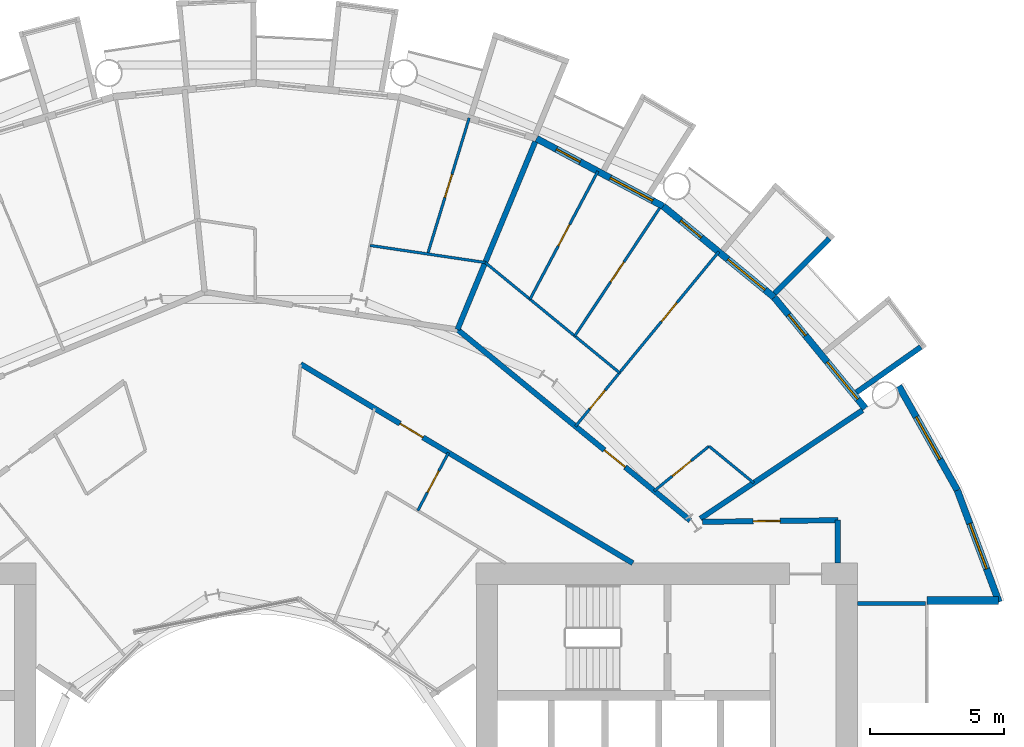
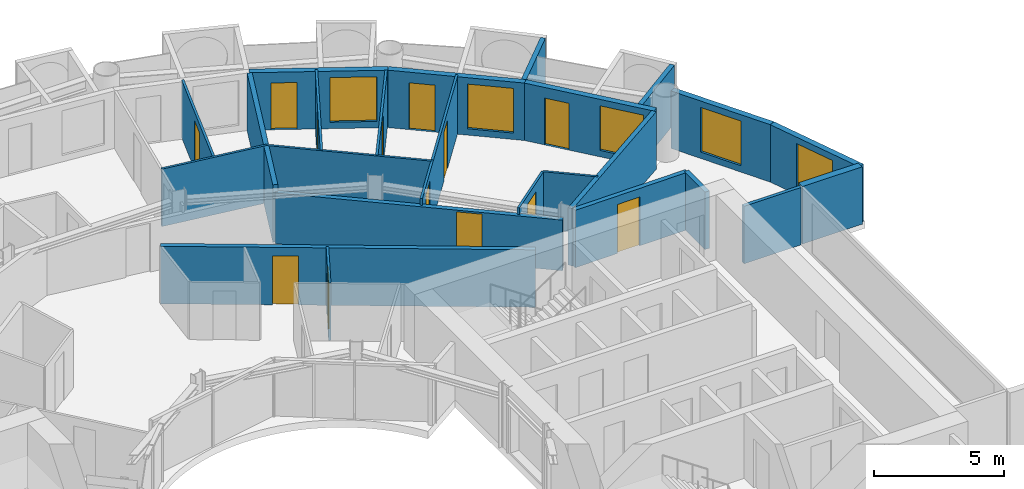
# One storey, part 21 of 26: 24 walls, 13 doors, 5 windows, 18 openings.
"""IFC4 building model written with IfcOpenShell, lengths in metres."""

import ifcopenshell
import ifcopenshell.guid

model = None  # the IFC model being written
_history = None  # IfcOwnerHistory: only IFC2X3 demands one
_inside = {}  # id of a spatial element -> (the spatial element, [elements in it])
_under = {}  # id of a project, library or spatial element -> (it, [spatial elements below it])
_declared = {}  # id of a project -> (the project, [libraries it declares])
_typed = {}  # id of a type object -> (the type object, [elements of that type])
_made_of = {}  # id of a material, layer set ... -> (it, [elements and type objects made of it])


def new_model(schema):
    """Start an empty IFC model of exactly this schema.

    Asked for "IFC4X3", IfcOpenShell would pick the latest addendum, in which some entities
    have other attributes; the version numbers below select the first issue.
    IFC2X3 requires an IfcOwnerHistory on every rooted entity: one is made here for all.
    """
    global model, _history
    if schema == "IFC4X3":
        model = ifcopenshell.file(schema_version=(4, 3, 0, 0))
    else:
        model = ifcopenshell.file(schema=schema)
    _inside.clear()
    _under.clear()
    _declared.clear()
    _typed.clear()
    _made_of.clear()
    _history = None
    if model.schema == "IFC2X3":
        org = make("IfcOrganization", Name="unknown")
        user = make(
            "IfcPersonAndOrganization",
            ThePerson=make("IfcPerson", FamilyName="unknown"),
            TheOrganization=org,
        )
        app = make(
            "IfcApplication",
            ApplicationDeveloper=org,
            Version="unknown",
            ApplicationFullName="unknown",
            ApplicationIdentifier="unknown",
        )
        _history = make(
            "IfcOwnerHistory",
            OwningUser=user,
            OwningApplication=app,
            ChangeAction="ADDED",
            CreationDate=0,
        )
    return model


def make(cls, **values):
    """One entity of the class cls with the attributes given. An attribute that is None is left unset."""
    return model.create_entity(
        cls, **{name: value for name, value in values.items() if value is not None}
    )


def rooted(cls, **values):
    """An entity with a GlobalId (a new one), such as an element, a storey or a relation."""
    return make(cls, GlobalId=ifcopenshell.guid.new(), OwnerHistory=_history, **values)


def si_unit(unit_type, name, prefix=None):
    """IfcSIUnit, for example si_unit("LENGTHUNIT", "METRE", prefix="MILLI")."""
    return make("IfcSIUnit", UnitType=unit_type, Prefix=prefix, Name=name)


def assignment(units):
    """IfcUnitAssignment: the units of a project."""
    return None if units is None else make("IfcUnitAssignment", Units=units)


def point(xyz):
    """IfcCartesianPoint."""
    return None if xyz is None else make("IfcCartesianPoint", Coordinates=xyz)


def direction(xyz):
    """IfcDirection."""
    return None if xyz is None else make("IfcDirection", DirectionRatios=xyz)


def frame(location, z_axis=None, x_axis=None):
    """IfcAxis2Placement3D, a coordinate frame: its origin and axes. An axis left out is left unset."""
    return make(
        "IfcAxis2Placement3D",
        Location=point(location),
        Axis=direction(z_axis),
        RefDirection=direction(x_axis),
    )


def frame_2d(location, x_axis=None):
    """IfcAxis2Placement2D, a coordinate frame in the plane: its origin and x axis."""
    return make(
        "IfcAxis2Placement2D", Location=point(location), RefDirection=direction(x_axis)
    )


def origin():
    """The frame at (0, 0, 0) with its axes left unset."""
    return frame((0.0, 0.0, 0.0))


def place(relative_to, where):
    """IfcLocalPlacement: puts the frame where relative to a parent placement (None: the world)."""
    return make(
        "IfcLocalPlacement", PlacementRelTo=relative_to, RelativePlacement=where
    )


def context(
    kind, dimensions, precision=None, world=None, true_north=None, identifier=None
):
    """IfcGeometricRepresentationContext, for example the 3D "Model" context."""
    return make(
        "IfcGeometricRepresentationContext",
        ContextIdentifier=identifier,
        ContextType=kind,
        CoordinateSpaceDimension=dimensions,
        Precision=precision,
        WorldCoordinateSystem=world,
        TrueNorth=true_north,
    )


def subcontext(parent, identifier, kind, view, scale=None):
    """IfcGeometricRepresentationSubContext, for example "Body" below "Model"."""
    return make(
        "IfcGeometricRepresentationSubContext",
        ContextIdentifier=identifier,
        ContextType=kind,
        ParentContext=parent,
        TargetScale=scale,
        TargetView=view,
    )


def project(units=None, contexts=None):
    """IfcProject with its units and contexts."""
    return rooted(
        "IfcProject",
        Name="project",
        RepresentationContexts=contexts,
        UnitsInContext=assignment(units),
    )


def spatial(cls, under=None, at=None, **own):
    """A site, building, storey or space (cls), placed at a placement, below another one or the project."""
    s = rooted(cls, ObjectPlacement=at, **own)
    if under is not None:
        _under.setdefault(under.id(), (under, []))[1].append(s)
    return s


def profile(cls, at=None, kind="AREA", **sizes):
    """A parametric profile (cls). Its sizes go by their IFC names, for example OverallWidth=200.0."""
    return make(cls, ProfileType=kind, Position=at, **sizes)


def rectangle(**sizes):
    """IfcRectangleProfileDef."""
    return profile("IfcRectangleProfileDef", **sizes)


def extrude(swept, where, along, depth):
    """IfcExtrudedAreaSolid: the profile swept, set in the frame where, extruded along a direction by depth."""
    return make(
        "IfcExtrudedAreaSolid",
        SweptArea=swept,
        Position=where,
        ExtrudedDirection=direction(along),
        Depth=depth,
    )


def shape(context_of_items, identifier, shape_type, items):
    """IfcShapeRepresentation: the items that make up one representation, for example the "Body"."""
    return make(
        "IfcShapeRepresentation",
        ContextOfItems=context_of_items,
        RepresentationIdentifier=identifier,
        RepresentationType=shape_type,
        Items=items,
    )


def material(Name=None, Category=None):
    """IfcMaterial."""
    return make("IfcMaterial", Name=Name, Category=Category)


def layer(
    of_material, thickness, ventilated=None, Name=None, Category=None, Priority=None
):
    """IfcMaterialLayer: one layer of a wall or slab, of a material (None: an air gap)."""
    return make(
        "IfcMaterialLayer",
        Material=of_material,
        LayerThickness=thickness,
        IsVentilated=ventilated,
        Name=Name,
        Category=Category,
        Priority=Priority,
    )


def layer_set(layers, Name=None):
    """IfcMaterialLayerSet."""
    return make("IfcMaterialLayerSet", MaterialLayers=layers, LayerSetName=Name)


def made_of(thing, what):
    """Note that an element or type object is made of a material, layer set ...; save() writes the relation."""
    if what is not None:
        _made_of.setdefault(what.id(), (what, []))[1].append(thing)
    return thing


def type_object(cls, material=None, **own):
    """A type object (cls), such as IfcWallType, which elements share."""
    return made_of(rooted(cls, **own), material)


def element(
    cls,
    number,
    at=None,
    inside=None,
    cuts=None,
    type_object=None,
    material=None,
    context=None,
    identifier="Body",
    shape_type=None,
    held_by="IfcProductDefinitionShape",
    body=None,
    shapes=None,
    **own,
):
    """One element of the class cls, such as IfcWall. Its Tag is "e" and its number.

    at: its placement. inside: the storey or other place that contains it. cuts: it is an
    opening in that element (IfcRelVoidsElement). A single representation is given by context,
    identifier, shape_type and body (its items); several are given by shapes. held_by: the class
    of the entity that holds the representations. save() writes the other relations.
    """
    e = rooted(cls, Tag="e%d" % number, ObjectPlacement=at, **own)
    if body is not None:
        shapes = [shape(context, identifier, shape_type, body)]
    if shapes is not None:
        e.Representation = make(held_by, Representations=shapes)
    if inside is not None:
        _inside.setdefault(inside.id(), (inside, []))[1].append(e)
    if cuts is not None:
        rooted(
            "IfcRelVoidsElement", RelatingBuildingElement=cuts, RelatedOpeningElement=e
        )
    if type_object is not None:
        _typed.setdefault(type_object.id(), (type_object, []))[1].append(e)
    return made_of(e, material)


def fill(opening, filler):
    """IfcRelFillsElement: the door or window that sits in an opening."""
    return rooted(
        "IfcRelFillsElement",
        RelatingOpeningElement=opening,
        RelatedBuildingElement=filler,
    )


def aggregate(whole, parts):
    """IfcRelAggregates: a whole, such as a stair, and the parts it consists of."""
    return rooted("IfcRelAggregates", RelatingObject=whole, RelatedObjects=parts)


def save(model, path):
    """Write the relations noted so far, then the file.

    IfcRelAggregates (storeys below a building ...), IfcRelContainedInSpatialStructure (elements
    in a storey), IfcRelDefinesByType, IfcRelAssociatesMaterial and IfcRelDeclares: one each for
    every whole, place, type object, material and project.
    """
    for whole, parts in _under.values():
        aggregate(whole, parts)
    for where, things in _inside.values():
        rooted(
            "IfcRelContainedInSpatialStructure",
            RelatedElements=things,
            RelatingStructure=where,
        )
    for kind, things in _typed.values():
        rooted("IfcRelDefinesByType", RelatedObjects=things, RelatingType=kind)
    for what, things in _made_of.values():
        rooted("IfcRelAssociatesMaterial", RelatedObjects=things, RelatingMaterial=what)
    for by, libraries in _declared.values():
        rooted("IfcRelDeclares", RelatingContext=by, RelatedDefinitions=libraries)
    model.write(path)


model = new_model("IFC4")

# Units and contexts
model_context = context("Model", 3, precision=1e-05, world=origin(), true_north=direction((0.0, 1.0)))
body_context = subcontext(model_context, "Body", "Model", "MODEL_VIEW")
ifc_project = project(units=[si_unit("LENGTHUNIT", "METRE"), si_unit("AREAUNIT", "SQUARE_METRE"), si_unit("VOLUMEUNIT", "CUBIC_METRE"), si_unit("PLANEANGLEUNIT", "RADIAN"), si_unit("MASSUNIT", "GRAM", prefix="KILO")], contexts=[model_context])

# Site, building, storey
site_placement = place(None, origin())
site = spatial("IfcSite", under=ifc_project, at=site_placement, CompositionType="ELEMENT")
building_placement = place(site_placement, origin())
building = spatial("IfcBuilding", under=site, at=building_placement, Name="Maasbend Ring Residences", CompositionType="ELEMENT")
storey_placement = place(building_placement, frame((0.0, 0.0, 47.199951171875)))
storey = spatial("IfcBuildingStorey", under=building, at=storey_placement, Name="L13", CompositionType="ELEMENT", Elevation=47.199951171875)

# Wall
ifc_material_1 = material(Name="Concrete C30/37", Category="concrete")
ifc_layer_1 = layer(ifc_material_1, 0.199951171875)
ifc_layer_set_1 = layer_set([ifc_layer_1], Name="Concrete C30/37")
wall_type_1 = type_object("IfcWallType", Name="CORRIDOR WALL 200 CONCRETE", PredefinedType="PARTITIONING", material=ifc_layer_set_1)
wall_1_placement = place(storey_placement, frame((21.675048828125, 9.39990234375, 0.0), z_axis=(0.0, 0.0, 1.0), x_axis=(0.0, 1.0, 0.0)))
element("IfcWall", 1, at=wall_1_placement, inside=storey, type_object=wall_type_1, Name="U-L13-w010", PredefinedType="PARTITIONING", context=body_context, shape_type="SweptSolid", body=[
    extrude(rectangle(XDim=1.60009765625, YDim=0.199951171875, at=frame_2d((0.800048828125, 0.0))), origin(), (0.0, 0.0, 1.0), 2.699951171875),
])

# Wall, opening, door
wall_2_placement = place(storey_placement, frame((16.635986328125, 10.93994140625, 0.0), z_axis=(0.0, 0.0, 1.0), x_axis=(0.999928980998, 0.011917758204, 0.0)))
wall_2 = element("IfcWall", 2, at=wall_2_placement, inside=storey, type_object=wall_type_1, Name="U-L13-w085", PredefinedType="PARTITIONING", context=body_context, shape_type="SweptSolid", body=[
    extrude(rectangle(XDim=5.039306640625, YDim=0.199951171875, at=frame_2d((2.51953125, 0.0))), origin(), (0.0, 0.0, 1.0), 2.699951171875),
])
opening_1_placement = place(wall_2_placement, frame((1.885986328125, 0.0, 0.0)))
opening_1 = element("IfcOpeningElement", 3, at=opening_1_placement, cuts=wall_2, Name="Opening D-1362", PredefinedType="OPENING", context=body_context, shape_type="SweptSolid", body=[
    extrude(rectangle(XDim=1.0, YDim=2.300048828125, at=frame_2d((0.5, 1.14990234375))), frame((0.0, 0.10986328125, 0.0), z_axis=(0.0, -1.0, 0.0), x_axis=(1.0, 0.0, 0.0)), (0.0, 0.0, 1.0), 0.219970703125),
])
ifc_material_2 = material(Name="Timber, painted", Category="wood")
door_type_1 = type_object("IfcDoorType", Name="ROOM DOOR 1000 X 2300", OperationType="NOTDEFINED", PredefinedType="DOOR", material=ifc_material_2)
door_1_placement = place(opening_1_placement, origin())
door_1 = element("IfcDoor", 4, at=door_1_placement, inside=storey, type_object=door_type_1, Name="D-1362", OperationType="SINGLE_SWING_LEFT", OverallHeight=2.300048828125, OverallWidth=1.0, PredefinedType="DOOR", context=body_context, shape_type="SweptSolid", body=[
    extrude(rectangle(XDim=1.0, YDim=2.300048828125, at=frame_2d((0.5, 1.14990234375))), frame((0.0, 0.02490234375, 0.0), z_axis=(0.0, -1.0, 0.0), x_axis=(1.0, 0.0, 0.0)), (0.0, 0.0, 1.0), 0.050048828125),
])
fill(opening_1, door_1)

wall_3_placement = place(storey_placement, frame((1.657958984375, 16.819091796875, 0.0), z_axis=(0.0, 0.0, 1.0), x_axis=(0.857688434449, -0.514169767113, 0.0)))
wall_3 = element("IfcWall", 5, at=wall_3_placement, inside=storey, type_object=wall_type_1, Name="U-L13-w090", PredefinedType="PARTITIONING", context=body_context, shape_type="SweptSolid", body=[
    extrude(rectangle(XDim=14.429443359375, YDim=0.199951171875, at=frame_2d((7.21484375, 0.0))), origin(), (0.0, 0.0, 1.0), 2.699951171875),
])
opening_2_placement = place(wall_3_placement, frame((4.31591796875, 0.0, 0.0)))
opening_2 = element("IfcOpeningElement", 6, at=opening_2_placement, cuts=wall_3, Name="Opening D-1321", PredefinedType="OPENING", context=body_context, shape_type="SweptSolid", body=[
    extrude(rectangle(XDim=1.0, YDim=2.300048828125, at=frame_2d((0.5, 1.14990234375))), frame((0.0, 0.10986328125, 0.0), z_axis=(0.0, -1.0, 0.0), x_axis=(1.0, 0.0, 0.0)), (0.0, 0.0, 1.0), 0.219970703125),
])
ifc_material_3 = material(Name="Timber, fire-rated, painted", Category="wood")
door_type_2 = type_object("IfcDoorType", Name="FLAT ENTRANCE DOOR 1000 X 2300 FIRE-RATED", OperationType="NOTDEFINED", PredefinedType="DOOR", material=ifc_material_3)
door_2_placement = place(opening_2_placement, origin())
door_2 = element("IfcDoor", 7, at=door_2_placement, inside=storey, type_object=door_type_2, Name="D-1321", OperationType="SINGLE_SWING_LEFT", OverallHeight=2.300048828125, OverallWidth=1.0, PredefinedType="DOOR", context=body_context, shape_type="SweptSolid", body=[
    extrude(rectangle(XDim=1.0, YDim=2.300048828125, at=frame_2d((0.5, 1.14990234375))), frame((0.0, 0.02490234375, 0.0), z_axis=(0.0, -1.0, 0.0), x_axis=(1.0, 0.0, 0.0)), (0.0, 0.0, 1.0), 0.050048828125),
])
fill(opening_2, door_2)

wall_4_placement = place(storey_placement, frame((7.5, 18.10791015625, 0.0), z_axis=(0.0, 0.0, 1.0), x_axis=(0.773041360816, -0.634355621452, 0.0)))
wall_4 = element("IfcWall", 8, at=wall_4_placement, inside=storey, type_object=wall_type_1, Name="U-L13-w093", PredefinedType="PARTITIONING", context=body_context, shape_type="SweptSolid", body=[
    extrude(rectangle(XDim=11.220703125, YDim=0.199951171875, at=frame_2d((5.6103515625, 0.0))), origin(), (0.0, 0.0, 1.0), 2.380126953125),
])
opening_3_placement = place(wall_4_placement, frame((7.0830078125, 0.0, 0.0)))
opening_3 = element("IfcOpeningElement", 9, at=opening_3_placement, cuts=wall_4, Name="Opening D-1301", PredefinedType="OPENING", context=body_context, shape_type="SweptSolid", body=[
    extrude(rectangle(XDim=1.0, YDim=2.300048828125, at=frame_2d((0.5, 1.14990234375))), frame((0.0, 0.10986328125, 0.0), z_axis=(0.0, -1.0, 0.0), x_axis=(1.0, 0.0, 0.0)), (0.0, 0.0, 1.0), 0.219970703125),
])
door_3_placement = place(opening_3_placement, origin())
door_3 = element("IfcDoor", 10, at=door_3_placement, inside=storey, type_object=door_type_2, Name="D-1301", OperationType="SINGLE_SWING_RIGHT", OverallHeight=2.300048828125, OverallWidth=1.0, PredefinedType="DOOR", context=body_context, shape_type="SweptSolid", body=[
    extrude(rectangle(XDim=1.0, YDim=2.300048828125, at=frame_2d((0.5, 1.14990234375))), frame((0.0, 0.02490234375, 0.0), z_axis=(0.0, -1.0, 0.0), x_axis=(1.0, 0.0, 0.0)), (0.0, 0.0, 1.0), 0.050048828125),
])
fill(opening_3, door_3)

# Walls
ifc_material_4 = material(Name="Pale anodised aluminium panel", Category="aluminium")
ifc_layer_2 = layer(ifc_material_4, 0.199951171875)
ifc_layer_set_2 = layer_set([ifc_layer_2], Name="EW-BOX")
wall_type_2 = type_object("IfcWallType", Name="EW-BOX", PredefinedType="SOLIDWALL", material=ifc_layer_set_2)
wall_5_placement = place(storey_placement, frame((22.3701171875, 15.764892578125, -0.030029296875), z_axis=(0.0, 0.0, 1.0), x_axis=(0.817256123454, 0.576274612209, 0.0)))
element("IfcWall", 11, at=wall_5_placement, inside=storey, type_object=wall_type_2, Name="Box side wall N01 left", PredefinedType="SOLIDWALL", context=body_context, shape_type="SweptSolid", body=[
    extrude(rectangle(XDim=2.932861328125, YDim=0.199951171875, at=frame_2d((1.46630859375, 0.0))), origin(), (0.0, 0.0, 1.0), 2.72998046875),
])
wall_6_placement = place(storey_placement, frame((19.322998046875, 19.449951171875, -0.030029296875), z_axis=(0.0, 0.0, 1.0), x_axis=(0.704476739375, 0.709727076896, 0.0)))
element("IfcWall", 12, at=wall_6_placement, inside=storey, type_object=wall_type_2, Name="Box side wall N03 left", PredefinedType="SOLIDWALL", context=body_context, shape_type="SweptSolid", body=[
    extrude(rectangle(XDim=2.883056640625, YDim=0.199951171875, at=frame_2d((1.44140625, 0.0))), origin(), (0.0, 0.0, 1.0), 2.72998046875),
])

# Wall, openings, door, window
ifc_material_5 = material(Name="Aluminium clad insulated panel", Category="aluminium")
ifc_layer_3 = layer(ifc_material_5, 0.25)
ifc_layer_set_3 = layer_set([ifc_layer_3], Name="EW-GL")
wall_type_3 = type_object("IfcWallType", Name="EW-GL", PredefinedType="SOLIDWALL", material=ifc_layer_set_3)
wall_7_placement = place(storey_placement, frame((22.698974609375, 15.1669921875, 0.0), z_axis=(0.0, 0.0, 1.0), x_axis=(-0.634382322723, 0.773019449054, 0.0)))
wall_7 = element("IfcWall", 13, at=wall_7_placement, inside=storey, type_object=wall_type_3, Name="External wall N01", PredefinedType="SOLIDWALL", context=body_context, shape_type="SweptSolid", body=[
    extrude(rectangle(XDim=5.351806640625, YDim=0.25, at=frame_2d((2.67578125, 0.0))), origin(), (0.0, 0.0, 1.0), 2.699951171875),
])
opening_4_placement = place(wall_7_placement, frame((0.441162109375, 0.0, 0.300048828125)))
opening_4 = element("IfcOpeningElement", 14, at=opening_4_placement, cuts=wall_7, Name="Opening W-BX", PredefinedType="OPENING", context=body_context, shape_type="SweptSolid", body=[
    extrude(rectangle(XDim=1.800048828125, YDim=2.10009765625, at=frame_2d((0.89990234375, 1.050048828125))), frame((0.0, 0.135009765625, 0.0), z_axis=(0.0, -1.0, 0.0), x_axis=(1.0, 0.0, 0.0)), (0.0, 0.0, 1.0), 0.27001953125),
])
opening_5_placement = place(wall_7_placement, frame((3.510498046875, 0.0, 0.0)))
opening_5 = element("IfcOpeningElement", 15, at=opening_5_placement, cuts=wall_7, Name="Opening D-LG", PredefinedType="OPENING", context=body_context, shape_type="SweptSolid", body=[
    extrude(rectangle(XDim=1.0, YDim=2.199951171875, at=frame_2d((0.5, 1.10009765625))), frame((0.0, 0.135009765625, 0.0), z_axis=(0.0, -1.0, 0.0), x_axis=(1.0, 0.0, 0.0)), (0.0, 0.0, 1.0), 0.27001953125),
])
ifc_material_6 = material(Name="Aluminium and clear glass", Category="aluminium")
door_type_3 = type_object("IfcDoorType", Name="D-LG", OperationType="SINGLE_SWING_LEFT", PredefinedType="DOOR", material=ifc_material_6)
door_4_placement = place(opening_5_placement, origin())
door_4 = element("IfcDoor", 16, at=door_4_placement, inside=storey, type_object=door_type_3, Name="Loggia door N02", OperationType="SINGLE_SWING_LEFT", OverallHeight=2.199951171875, OverallWidth=1.0, PredefinedType="DOOR", context=body_context, shape_type="SweptSolid", body=[
    extrude(rectangle(XDim=1.0, YDim=2.199951171875, at=frame_2d((0.5, 1.10009765625))), frame((0.0, 0.02490234375, 0.0), z_axis=(0.0, -1.0, 0.0), x_axis=(1.0, 0.0, 0.0)), (0.0, 0.0, 1.0), 0.050048828125),
])
fill(opening_5, door_4)
ifc_material_7 = material(Name="Aluminium and clear glass", Category="aluminium")
window_type = type_object("IfcWindowType", Name="W-BX", PartitioningType="DOUBLE_PANEL_VERTICAL", PredefinedType="WINDOW", material=ifc_material_7)
window_1_placement = place(opening_4_placement, origin())
window_1 = element("IfcWindow", 17, at=window_1_placement, inside=storey, type_object=window_type, Name="Window N01 room to box", OverallHeight=2.10009765625, OverallWidth=1.800048828125, PartitioningType="SINGLE_PANEL", PredefinedType="WINDOW", context=body_context, shape_type="SweptSolid", body=[
    extrude(rectangle(XDim=1.800048828125, YDim=2.10009765625, at=frame_2d((0.89990234375, 1.050048828125))), frame((0.0, 0.030029296875, 0.0), z_axis=(0.0, -1.0, 0.0), x_axis=(1.0, 0.0, 0.0)), (0.0, 0.0, 1.0), 0.06005859375),
])
fill(opening_4, window_1)

wall_8_placement = place(storey_placement, frame((19.303955078125, 19.303955078125, 0.0), z_axis=(0.0, 0.0, 1.0), x_axis=(-0.773019449054, 0.634382322723, 0.0)))
wall_8 = element("IfcWall", 18, at=wall_8_placement, inside=storey, type_object=wall_type_3, Name="External wall N02", PredefinedType="SOLIDWALL", context=body_context, shape_type="SweptSolid", body=[
    extrude(rectangle(XDim=5.351806640625, YDim=0.25, at=frame_2d((2.67578125, 0.0))), origin(), (0.0, 0.0, 1.0), 2.699951171875),
])
opening_6_placement = place(wall_8_placement, frame((0.441162109375, 0.0, 0.300048828125)))
opening_6 = element("IfcOpeningElement", 19, at=opening_6_placement, cuts=wall_8, Name="Opening W-BX", PredefinedType="OPENING", context=body_context, shape_type="SweptSolid", body=[
    extrude(rectangle(XDim=1.800048828125, YDim=2.10009765625, at=frame_2d((0.89990234375, 1.050048828125))), frame((0.0, 0.135009765625, 0.0), z_axis=(0.0, -1.0, 0.0), x_axis=(1.0, 0.0, 0.0)), (0.0, 0.0, 1.0), 0.27001953125),
])
opening_7_placement = place(wall_8_placement, frame((3.510498046875, 0.0, 0.0)))
opening_7 = element("IfcOpeningElement", 20, at=opening_7_placement, cuts=wall_8, Name="Opening D-LG", PredefinedType="OPENING", context=body_context, shape_type="SweptSolid", body=[
    extrude(rectangle(XDim=1.0, YDim=2.199951171875, at=frame_2d((0.5, 1.10009765625))), frame((0.0, 0.135009765625, 0.0), z_axis=(0.0, -1.0, 0.0), x_axis=(1.0, 0.0, 0.0)), (0.0, 0.0, 1.0), 0.27001953125),
])
door_5_placement = place(opening_7_placement, origin())
door_5 = element("IfcDoor", 21, at=door_5_placement, inside=storey, type_object=door_type_3, Name="Loggia door N04", OperationType="SINGLE_SWING_LEFT", OverallHeight=2.199951171875, OverallWidth=1.0, PredefinedType="DOOR", context=body_context, shape_type="SweptSolid", body=[
    extrude(rectangle(XDim=1.0, YDim=2.199951171875, at=frame_2d((0.5, 1.10009765625))), frame((0.0, 0.02490234375, 0.0), z_axis=(0.0, -1.0, 0.0), x_axis=(1.0, 0.0, 0.0)), (0.0, 0.0, 1.0), 0.050048828125),
])
fill(opening_7, door_5)
window_2_placement = place(opening_6_placement, origin())
window_2 = element("IfcWindow", 22, at=window_2_placement, inside=storey, type_object=window_type, Name="Window N03 room to box", OverallHeight=2.10009765625, OverallWidth=1.800048828125, PartitioningType="SINGLE_PANEL", PredefinedType="WINDOW", context=body_context, shape_type="SweptSolid", body=[
    extrude(rectangle(XDim=1.800048828125, YDim=2.10009765625, at=frame_2d((0.89990234375, 1.050048828125))), frame((0.0, 0.030029296875, 0.0), z_axis=(0.0, -1.0, 0.0), x_axis=(1.0, 0.0, 0.0)), (0.0, 0.0, 1.0), 0.06005859375),
])
fill(opening_6, window_2)

wall_9_placement = place(storey_placement, frame((15.1669921875, 22.698974609375, 0.0), z_axis=(0.0, 0.0, 1.0), x_axis=(-0.881915646801, 0.471407246368, 0.0)))
wall_9 = element("IfcWall", 23, at=wall_9_placement, inside=storey, type_object=wall_type_3, Name="External wall N03", PredefinedType="SOLIDWALL", context=body_context, shape_type="SweptSolid", body=[
    extrude(rectangle(XDim=5.35205078125, YDim=0.25, at=frame_2d((2.676025390625, 0.0))), origin(), (0.0, 0.0, 1.0), 2.699951171875),
])
opening_8_placement = place(wall_9_placement, frame((0.441162109375, 0.0, 0.300048828125)))
opening_8 = element("IfcOpeningElement", 24, at=opening_8_placement, cuts=wall_9, Name="Opening W-BX", PredefinedType="OPENING", context=body_context, shape_type="SweptSolid", body=[
    extrude(rectangle(XDim=1.800048828125, YDim=2.10009765625, at=frame_2d((0.89990234375, 1.050048828125))), frame((0.0, 0.135009765625, 0.0), z_axis=(0.0, -1.0, 0.0), x_axis=(1.0, 0.0, 0.0)), (0.0, 0.0, 1.0), 0.27001953125),
])
opening_9_placement = place(wall_9_placement, frame((3.510498046875, 0.0, 0.0)))
opening_9 = element("IfcOpeningElement", 25, at=opening_9_placement, cuts=wall_9, Name="Opening D-LG", PredefinedType="OPENING", context=body_context, shape_type="SweptSolid", body=[
    extrude(rectangle(XDim=1.0, YDim=2.199951171875, at=frame_2d((0.5, 1.10009765625))), frame((0.0, 0.135009765625, 0.0), z_axis=(0.0, -1.0, 0.0), x_axis=(1.0, 0.0, 0.0)), (0.0, 0.0, 1.0), 0.27001953125),
])
door_6_placement = place(opening_9_placement, origin())
door_6 = element("IfcDoor", 26, at=door_6_placement, inside=storey, type_object=door_type_3, Name="Loggia door N06", OperationType="SINGLE_SWING_LEFT", OverallHeight=2.199951171875, OverallWidth=1.0, PredefinedType="DOOR", context=body_context, shape_type="SweptSolid", body=[
    extrude(rectangle(XDim=1.0, YDim=2.199951171875, at=frame_2d((0.5, 1.10009765625))), frame((0.0, 0.02490234375, 0.0), z_axis=(0.0, -1.0, 0.0), x_axis=(1.0, 0.0, 0.0)), (0.0, 0.0, 1.0), 0.050048828125),
])
fill(opening_9, door_6)
window_3_placement = place(opening_8_placement, origin())
window_3 = element("IfcWindow", 27, at=window_3_placement, inside=storey, type_object=window_type, Name="Window N05 room to box", OverallHeight=2.10009765625, OverallWidth=1.800048828125, PartitioningType="SINGLE_PANEL", PredefinedType="WINDOW", context=body_context, shape_type="SweptSolid", body=[
    extrude(rectangle(XDim=1.800048828125, YDim=2.10009765625, at=frame_2d((0.89990234375, 1.050048828125))), frame((0.0, 0.030029296875, 0.0), z_axis=(0.0, -1.0, 0.0), x_axis=(1.0, 0.0, 0.0)), (0.0, 0.0, 1.0), 0.06005859375),
])
fill(opening_8, window_3)

# Wall, opening, window
ifc_material_8 = material(Name="Aluminium clad insulated panel", Category="aluminium")
ifc_layer_4 = layer(ifc_material_8, 0.25)
ifc_layer_set_4 = layer_set([ifc_layer_4], Name="EW-HORN")
wall_type_4 = type_object("IfcWallType", Name="EW-HORN", PredefinedType="SOLIDWALL", material=ifc_layer_set_4)
wall_10_placement = place(storey_placement, frame((27.681884765625, 7.945068359375, 0.0), z_axis=(0.0, 0.0, 1.0), x_axis=(-0.349247811493, 0.937030397675, 0.0)))
wall_10 = element("IfcWall", 28, at=wall_10_placement, inside=storey, type_object=wall_type_4, Name="Horn wall 1.1", PredefinedType="SOLIDWALL", context=body_context, shape_type="SweptSolid", body=[
    extrude(rectangle(XDim=4.4521484375, YDim=0.25, at=frame_2d((2.22607421875, 0.0))), origin(), (0.0, 0.0, 1.0), 2.699951171875),
])
opening_10_placement = place(wall_10_placement, frame((1.32666015625, 0.0, 0.300048828125)))
opening_10 = element("IfcOpeningElement", 29, at=opening_10_placement, cuts=wall_10, Name="Opening W-BX", PredefinedType="OPENING", context=body_context, shape_type="SweptSolid", body=[
    extrude(rectangle(XDim=1.800048828125, YDim=2.10009765625, at=frame_2d((0.89990234375, 1.050048828125))), frame((0.0, 0.135009765625, 0.0), z_axis=(0.0, -1.0, 0.0), x_axis=(1.0, 0.0, 0.0)), (0.0, 0.0, 1.0), 0.27001953125),
])
window_4_placement = place(opening_10_placement, origin())
window_4 = element("IfcWindow", 30, at=window_4_placement, inside=storey, type_object=window_type, Name="Horn window 1.1", OverallHeight=2.10009765625, OverallWidth=1.800048828125, PartitioningType="SINGLE_PANEL", PredefinedType="WINDOW", context=body_context, shape_type="SweptSolid", body=[
    extrude(rectangle(XDim=1.800048828125, YDim=2.10009765625, at=frame_2d((0.89990234375, 1.050048828125))), frame((0.0, 0.030029296875, 0.0), z_axis=(0.0, -1.0, 0.0), x_axis=(1.0, 0.0, 0.0)), (0.0, 0.0, 1.0), 0.06005859375),
])
fill(opening_10, window_4)

wall_11_placement = place(storey_placement, frame((26.126953125, 12.116943359375, 0.0), z_axis=(0.0, 0.0, 1.0), x_axis=(-0.489696356642, 0.871893042919, 0.0)))
wall_11 = element("IfcWall", 31, at=wall_11_placement, inside=storey, type_object=wall_type_4, Name="Horn wall 1.2", PredefinedType="SOLIDWALL", context=body_context, shape_type="SweptSolid", body=[
    extrude(rectangle(XDim=4.45361328125, YDim=0.25, at=frame_2d((2.226806640625, 0.0))), origin(), (0.0, 0.0, 1.0), 2.699951171875),
])
opening_11_placement = place(wall_11_placement, frame((1.32666015625, 0.0, 0.300048828125)))
opening_11 = element("IfcOpeningElement", 32, at=opening_11_placement, cuts=wall_11, Name="Opening W-BX", PredefinedType="OPENING", context=body_context, shape_type="SweptSolid", body=[
    extrude(rectangle(XDim=1.800048828125, YDim=2.10009765625, at=frame_2d((0.89990234375, 1.050048828125))), frame((0.0, 0.135009765625, 0.0), z_axis=(0.0, -1.0, 0.0), x_axis=(1.0, 0.0, 0.0)), (0.0, 0.0, 1.0), 0.27001953125),
])
window_5_placement = place(opening_11_placement, origin())
window_5 = element("IfcWindow", 33, at=window_5_placement, inside=storey, type_object=window_type, Name="Horn window 1.2", OverallHeight=2.10009765625, OverallWidth=1.800048828125, PartitioningType="SINGLE_PANEL", PredefinedType="WINDOW", context=body_context, shape_type="SweptSolid", body=[
    extrude(rectangle(XDim=1.800048828125, YDim=2.10009765625, at=frame_2d((0.89990234375, 1.050048828125))), frame((0.0, 0.030029296875, 0.0), z_axis=(0.0, -1.0, 0.0), x_axis=(1.0, 0.0, 0.0)), (0.0, 0.0, 1.0), 0.06005859375),
])
fill(opening_11, window_5)

# Wall
ifc_material_9 = material(Name="Aluminium clad insulated panel", Category="aluminium")
ifc_layer_5 = layer(ifc_material_9, 0.300048828125)
ifc_layer_set_5 = layer_set([ifc_layer_5], Name="EW-RET")
wall_type_5 = type_object("IfcWallType", Name="EW-RET", PredefinedType="SOLIDWALL", material=ifc_layer_set_5)
wall_12_placement = place(storey_placement, frame((25.0, 8.0, 0.0), z_axis=(0.0, 0.0, 1.0), x_axis=(1.0, 0.0, 0.0)))
element("IfcWall", 34, at=wall_12_placement, inside=storey, type_object=wall_type_5, Name="Notch return wall east north", PredefinedType="SOLIDWALL", context=body_context, shape_type="SweptSolid", body=[
    extrude(rectangle(XDim=2.6669921875, YDim=0.300048828125, at=frame_2d((1.33349609375, 0.0))), origin(), (0.0, 0.0, 1.0), 2.699951171875),
])

# Wall, opening, door
ifc_material_10 = material(Name="Gypsum board on steel studs", Category="steel")
ifc_layer_6 = layer(ifc_material_10, 0.10009765625)
ifc_layer_set_6 = layer_set([ifc_layer_6], Name="PARTITION 100 GYPSUM")
wall_type_6 = type_object("IfcWallType", Name="PARTITION 100 GYPSUM", PredefinedType="PARTITIONING", material=ifc_layer_set_6)
wall_13_placement = place(storey_placement, frame((6.02099609375, 11.35693359375, 0.0), z_axis=(0.0, 0.0, 1.0), x_axis=(0.468337293896, 0.883549760425, 0.0)))
wall_13 = element("IfcWall", 35, at=wall_13_placement, inside=storey, type_object=wall_type_6, Name="U-L13-w067", PredefinedType="PARTITIONING", context=body_context, shape_type="SweptSolid", body=[
    extrude(rectangle(XDim=2.44482421875, YDim=0.10009765625, at=frame_2d((1.222412109375, 0.0))), origin(), (0.0, 0.0, 1.0), 2.699951171875),
])
opening_12_placement = place(wall_13_placement, frame((0.77197265625, 0.0, 0.0)))
opening_12 = element("IfcOpeningElement", 36, at=opening_12_placement, cuts=wall_13, Name="Opening D-1323", PredefinedType="OPENING", context=body_context, shape_type="SweptSolid", body=[
    extrude(rectangle(XDim=0.89990234375, YDim=2.300048828125, at=frame_2d((0.449951171875, 1.14990234375))), frame((0.0, 0.06005859375, 0.0), z_axis=(0.0, -1.0, 0.0), x_axis=(1.0, 0.0, 0.0)), (0.0, 0.0, 1.0), 0.1201171875),
])
ifc_material_11 = material(Name="Timber, painted", Category="wood")
door_type_4 = type_object("IfcDoorType", Name="INTERNAL DOOR 900 X 2300", OperationType="NOTDEFINED", PredefinedType="DOOR", material=ifc_material_11)
door_7_placement = place(opening_12_placement, origin())
door_7 = element("IfcDoor", 37, at=door_7_placement, inside=storey, type_object=door_type_4, Name="D-1323", OperationType="SINGLE_SWING_RIGHT", OverallHeight=2.300048828125, OverallWidth=0.89990234375, PredefinedType="DOOR", context=body_context, shape_type="SweptSolid", body=[
    extrude(rectangle(XDim=0.89990234375, YDim=2.300048828125, at=frame_2d((0.449951171875, 1.14990234375))), frame((0.0, 0.02490234375, 0.0), z_axis=(0.0, -1.0, 0.0), x_axis=(1.0, 0.0, 0.0)), (0.0, 0.0, 1.0), 0.050048828125),
])
fill(opening_12, door_7)

wall_14_placement = place(storey_placement, frame((6.389892578125, 20.9208984375, 0.0), z_axis=(0.0, 0.0, 1.0), x_axis=(0.292081613207, 0.956393397732, 0.0)))
wall_14 = element("IfcWall", 38, at=wall_14_placement, inside=storey, type_object=wall_type_6, Name="U-L13-w068", PredefinedType="PARTITIONING", context=body_context, shape_type="SweptSolid", body=[
    extrude(rectangle(XDim=5.30029296875, YDim=0.10009765625, at=frame_2d((2.650146484375, 0.0))), origin(), (0.0, 0.0, 1.0), 2.699951171875),
])
opening_13_placement = place(wall_14_placement, frame((2.199951171875, 0.0, 0.0)))
opening_13 = element("IfcOpeningElement", 39, at=opening_13_placement, cuts=wall_14, Name="Opening D-1311", PredefinedType="OPENING", context=body_context, shape_type="SweptSolid", body=[
    extrude(rectangle(XDim=0.89990234375, YDim=2.300048828125, at=frame_2d((0.449951171875, 1.14990234375))), frame((0.0, 0.06005859375, 0.0), z_axis=(0.0, -1.0, 0.0), x_axis=(1.0, 0.0, 0.0)), (0.0, 0.0, 1.0), 0.1201171875),
])
door_8_placement = place(opening_13_placement, origin())
door_8 = element("IfcDoor", 40, at=door_8_placement, inside=storey, type_object=door_type_4, Name="D-1311", OperationType="SINGLE_SWING_LEFT", OverallHeight=2.300048828125, OverallWidth=0.89990234375, PredefinedType="DOOR", context=body_context, shape_type="SweptSolid", body=[
    extrude(rectangle(XDim=0.89990234375, YDim=2.300048828125, at=frame_2d((0.449951171875, 1.14990234375))), frame((0.0, 0.02490234375, 0.0), z_axis=(0.0, -1.0, 0.0), x_axis=(1.0, 0.0, 0.0)), (0.0, 0.0, 1.0), 0.050048828125),
])
fill(opening_13, door_8)

wall_15_placement = place(storey_placement, frame((10.201904296875, 19.23388671875, 0.0), z_axis=(0.0, 0.0, 1.0), x_axis=(0.468610030042, 0.883405139075, 0.0)))
wall_15 = element("IfcWall", 41, at=wall_15_placement, inside=storey, type_object=wall_type_6, Name="U-L13-w071", PredefinedType="PARTITIONING", context=body_context, shape_type="SweptSolid", body=[
    extrude(rectangle(XDim=5.403076171875, YDim=0.10009765625, at=frame_2d((2.70166015625, 0.0))), origin(), (0.0, 0.0, 1.0), 2.699951171875),
])
opening_14_placement = place(wall_15_placement, frame((2.251953125, 0.0, 0.0)))
opening_14 = element("IfcOpeningElement", 42, at=opening_14_placement, cuts=wall_15, Name="Opening D-1306", PredefinedType="OPENING", context=body_context, shape_type="SweptSolid", body=[
    extrude(rectangle(XDim=0.89990234375, YDim=2.300048828125, at=frame_2d((0.449951171875, 1.14990234375))), frame((0.0, 0.06005859375, 0.0), z_axis=(0.0, -1.0, 0.0), x_axis=(1.0, 0.0, 0.0)), (0.0, 0.0, 1.0), 0.1201171875),
])
door_9_placement = place(opening_14_placement, origin())
door_9 = element("IfcDoor", 43, at=door_9_placement, inside=storey, type_object=door_type_4, Name="D-1306", OperationType="SINGLE_SWING_LEFT", OverallHeight=2.300048828125, OverallWidth=0.89990234375, PredefinedType="DOOR", context=body_context, shape_type="SweptSolid", body=[
    extrude(rectangle(XDim=0.89990234375, YDim=2.300048828125, at=frame_2d((0.449951171875, 1.14990234375))), frame((0.0, 0.02490234375, 0.0), z_axis=(0.0, -1.0, 0.0), x_axis=(1.0, 0.0, 0.0)), (0.0, 0.0, 1.0), 0.050048828125),
])
fill(opening_14, door_9)

wall_16_placement = place(storey_placement, frame((11.8701171875, 17.864990234375, 0.0), z_axis=(0.0, 0.0, 1.0), x_axis=(0.553440102418, 0.832888980018, 0.0)))
wall_16 = element("IfcWall", 44, at=wall_16_placement, inside=storey, type_object=wall_type_6, Name="U-L13-w074", PredefinedType="PARTITIONING", context=body_context, shape_type="SweptSolid", body=[
    extrude(rectangle(XDim=5.725830078125, YDim=0.10009765625, at=frame_2d((2.86279296875, 0.0))), origin(), (0.0, 0.0, 1.0), 2.699951171875),
])
opening_15_placement = place(wall_16_placement, frame((2.4130859375, 0.0, 0.0)))
opening_15 = element("IfcOpeningElement", 45, at=opening_15_placement, cuts=wall_16, Name="Opening D-1305", PredefinedType="OPENING", context=body_context, shape_type="SweptSolid", body=[
    extrude(rectangle(XDim=0.89990234375, YDim=2.300048828125, at=frame_2d((0.449951171875, 1.14990234375))), frame((0.0, 0.06005859375, 0.0), z_axis=(0.0, -1.0, 0.0), x_axis=(1.0, 0.0, 0.0)), (0.0, 0.0, 1.0), 0.1201171875),
])
door_10_placement = place(opening_15_placement, origin())
door_10 = element("IfcDoor", 46, at=door_10_placement, inside=storey, type_object=door_type_4, Name="D-1305", OperationType="SINGLE_SWING_LEFT", OverallHeight=2.300048828125, OverallWidth=0.89990234375, PredefinedType="DOOR", context=body_context, shape_type="SweptSolid", body=[
    extrude(rectangle(XDim=0.89990234375, YDim=2.300048828125, at=frame_2d((0.449951171875, 1.14990234375))), frame((0.0, 0.02490234375, 0.0), z_axis=(0.0, -1.0, 0.0), x_axis=(1.0, 0.0, 0.0)), (0.0, 0.0, 1.0), 0.050048828125),
])
fill(opening_15, door_10)

# Wall, openings, doors
wall_17_placement = place(storey_placement, frame((11.89892578125, 14.4990234375, 0.0), z_axis=(0.0, 0.0, 1.0), x_axis=(0.634396151441, 0.77300810024, 0.0)))
wall_17 = element("IfcWall", 47, at=wall_17_placement, inside=storey, type_object=wall_type_6, Name="U-L13-w075", PredefinedType="PARTITIONING", context=body_context, shape_type="SweptSolid", body=[
    extrude(rectangle(XDim=8.419189453125, YDim=0.10009765625, at=frame_2d((4.20947265625, 0.0))), origin(), (0.0, 0.0, 1.0), 2.699951171875),
])
opening_16_placement = place(wall_17_placement, frame((0.840087890625, 0.0, 0.0)))
opening_16 = element("IfcOpeningElement", 48, at=opening_16_placement, cuts=wall_17, Name="Opening D-1303", PredefinedType="OPENING", context=body_context, shape_type="SweptSolid", body=[
    extrude(rectangle(XDim=0.89990234375, YDim=2.300048828125, at=frame_2d((0.449951171875, 1.14990234375))), frame((0.0, 0.06005859375, 0.0), z_axis=(0.0, -1.0, 0.0), x_axis=(1.0, 0.0, 0.0)), (0.0, 0.0, 1.0), 0.1201171875),
])
opening_17_placement = place(wall_17_placement, frame((5.051025390625, 0.0, 0.0)))
opening_17 = element("IfcOpeningElement", 49, at=opening_17_placement, cuts=wall_17, Name="Opening D-1304", PredefinedType="OPENING", context=body_context, shape_type="SweptSolid", body=[
    extrude(rectangle(XDim=0.89990234375, YDim=2.300048828125, at=frame_2d((0.449951171875, 1.14990234375))), frame((0.0, 0.06005859375, 0.0), z_axis=(0.0, -1.0, 0.0), x_axis=(1.0, 0.0, 0.0)), (0.0, 0.0, 1.0), 0.1201171875),
])
door_11_placement = place(opening_16_placement, origin())
door_11 = element("IfcDoor", 50, at=door_11_placement, inside=storey, type_object=door_type_4, Name="D-1303", OperationType="SINGLE_SWING_LEFT", OverallHeight=2.300048828125, OverallWidth=0.89990234375, PredefinedType="DOOR", context=body_context, shape_type="SweptSolid", body=[
    extrude(rectangle(XDim=0.89990234375, YDim=2.300048828125, at=frame_2d((0.449951171875, 1.14990234375))), frame((0.0, 0.02490234375, 0.0), z_axis=(0.0, -1.0, 0.0), x_axis=(1.0, 0.0, 0.0)), (0.0, 0.0, 1.0), 0.050048828125),
])
fill(opening_16, door_11)
door_12_placement = place(opening_17_placement, origin())
door_12 = element("IfcDoor", 51, at=door_12_placement, inside=storey, type_object=door_type_4, Name="D-1304", OperationType="SINGLE_SWING_RIGHT", OverallHeight=2.300048828125, OverallWidth=0.89990234375, PredefinedType="DOOR", context=body_context, shape_type="SweptSolid", body=[
    extrude(rectangle(XDim=0.89990234375, YDim=2.300048828125, at=frame_2d((0.449951171875, 1.14990234375))), frame((0.0, 0.02490234375, 0.0), z_axis=(0.0, -1.0, 0.0), x_axis=(1.0, 0.0, 0.0)), (0.0, 0.0, 1.0), 0.050048828125),
])
fill(opening_17, door_12)

# Wall, opening, door
wall_18_placement = place(storey_placement, frame((14.8310546875, 12.092041015625, 0.0), z_axis=(0.0, 0.0, 1.0), x_axis=(0.774979608522, 0.631986239072, 0.0)))
wall_18 = element("IfcWall", 52, at=wall_18_placement, inside=storey, type_object=wall_type_6, Name="U-L13-w078", PredefinedType="PARTITIONING", context=body_context, shape_type="SweptSolid", body=[
    extrude(rectangle(XDim=2.63623046875, YDim=0.10009765625, at=frame_2d((1.318115234375, 0.0))), origin(), (0.0, 0.0, 1.0), 2.699951171875),
])
opening_18_placement = place(wall_18_placement, frame((0.867919921875, 0.0, 0.0)))
opening_18 = element("IfcOpeningElement", 53, at=opening_18_placement, cuts=wall_18, Name="Opening D-1302", PredefinedType="OPENING", context=body_context, shape_type="SweptSolid", body=[
    extrude(rectangle(XDim=0.89990234375, YDim=2.300048828125, at=frame_2d((0.449951171875, 1.14990234375))), frame((0.0, 0.06005859375, 0.0), z_axis=(0.0, -1.0, 0.0), x_axis=(1.0, 0.0, 0.0)), (0.0, 0.0, 1.0), 0.1201171875),
])
door_13_placement = place(opening_18_placement, origin())
door_13 = element("IfcDoor", 54, at=door_13_placement, inside=storey, type_object=door_type_4, Name="D-1302", OperationType="SINGLE_SWING_RIGHT", OverallHeight=2.300048828125, OverallWidth=0.89990234375, PredefinedType="DOOR", context=body_context, shape_type="SweptSolid", body=[
    extrude(rectangle(XDim=0.89990234375, YDim=2.300048828125, at=frame_2d((0.449951171875, 1.14990234375))), frame((0.0, 0.02490234375, 0.0), z_axis=(0.0, -1.0, 0.0), x_axis=(1.0, 0.0, 0.0)), (0.0, 0.0, 1.0), 0.050048828125),
])
fill(opening_18, door_13)

# Walls
wall_19_placement = place(storey_placement, frame((8.533935546875, 20.60302734375, 0.0), z_axis=(0.0, 0.0, 1.0), x_axis=(0.773000340237, -0.634405606843, 0.0)))
element("IfcWall", 55, at=wall_19_placement, inside=storey, type_object=wall_type_6, Name="U-L13-w098", PredefinedType="PARTITIONING", context=body_context, shape_type="SweptSolid", body=[
    extrude(rectangle(XDim=6.4736328125, YDim=0.10009765625, at=frame_2d((3.23681640625, 0.0))), origin(), (0.0, 0.0, 1.0), 2.699951171875),
])
wall_20_placement = place(storey_placement, frame((16.8740234375, 13.758056640625, 0.0), z_axis=(0.0, 0.0, 1.0), x_axis=(0.772948171844, -0.634469166818, 0.0)))
element("IfcWall", 56, at=wall_20_placement, inside=storey, type_object=wall_type_6, Name="U-L13-w099", PredefinedType="PARTITIONING", context=body_context, shape_type="SweptSolid", body=[
    extrude(rectangle(XDim=2.157958984375, YDim=0.10009765625, at=frame_2d((1.0791015625, 0.0))), origin(), (0.0, 0.0, 1.0), 2.699951171875),
])
wall_21_placement = place(storey_placement, frame((4.24609375, 21.239013671875, 0.0), z_axis=(0.0, 0.0, 1.0), x_axis=(0.989178348771, -0.146718077695, 0.0)))
element("IfcWall", 57, at=wall_21_placement, inside=storey, type_object=wall_type_6, Name="U-L13-w101", PredefinedType="PARTITIONING", context=body_context, shape_type="SweptSolid", body=[
    extrude(rectangle(XDim=4.334716796875, YDim=0.10009765625, at=frame_2d((2.16748046875, 0.0))), origin(), (0.0, 0.0, 1.0), 2.699951171875),
])
ifc_material_12 = material(Name="Gypsum board on steel studs", Category="steel")
ifc_layer_7 = layer(ifc_material_12, 0.14990234375)
ifc_layer_set_7 = layer_set([ifc_layer_7], Name="PARTITION 150 EI 60")
wall_type_7 = type_object("IfcWallType", Name="PARTITION 150 EI 60", PredefinedType="PARTITIONING", material=ifc_layer_set_7)
wall_22_placement = place(storey_placement, frame((22.39990234375, 7.89990234375, 0.0), z_axis=(0.0, 0.0, 1.0), x_axis=(1.0, 0.0, 0.0)))
element("IfcWall", 58, at=wall_22_placement, inside=storey, type_object=wall_type_7, Name="L13 core E wall CITN", PredefinedType="PARTITIONING", context=body_context, shape_type="SweptSolid", body=[
    extrude(rectangle(XDim=2.5400390625, YDim=0.14990234375, at=frame_2d((1.27001953125, 0.0))), origin(), (0.0, 0.0, 1.0), 2.699951171875),
])
ifc_material_13 = material(Name="Concrete C30/37", Category="concrete")
ifc_layer_8 = layer(ifc_material_13, 0.199951171875)
ifc_layer_set_8 = layer_set([ifc_layer_8], Name="Concrete C30/37")
wall_type_8 = type_object("IfcWallType", Name="PARTY WALL 200 CONCRETE", PredefinedType="PARTITIONING", material=ifc_layer_set_8)
wall_23_placement = place(storey_placement, frame((7.5009765625, 18.10791015625, 0.0), z_axis=(0.0, 0.0, 1.0), x_axis=(0.382600411313, 0.923913916587, 0.0)))
element("IfcWall", 59, at=wall_23_placement, inside=storey, type_object=wall_type_8, Name="U-L13-w069", PredefinedType="PARTITIONING", context=body_context, shape_type="SweptSolid", body=[
    extrude(rectangle(XDim=7.574462890625, YDim=0.199951171875, at=frame_2d((3.787109375, 0.0))), origin(), (0.0, 0.0, 1.0), 2.699951171875),
])
wall_24_placement = place(storey_placement, frame((16.554931640625, 11.06103515625, 0.0), z_axis=(0.0, 0.0, 1.0), x_axis=(0.831403467378, 0.55566921314, 0.0)))
element("IfcWall", 60, at=wall_24_placement, inside=storey, type_object=wall_type_8, Name="U-L13-w080", PredefinedType="PARTITIONING", context=body_context, shape_type="SweptSolid", body=[
    extrude(rectangle(XDim=7.264892578125, YDim=0.199951171875, at=frame_2d((3.63232421875, 0.0))), origin(), (0.0, 0.0, 1.0), 2.699951171875),
])

save(model, "model.ifc")
